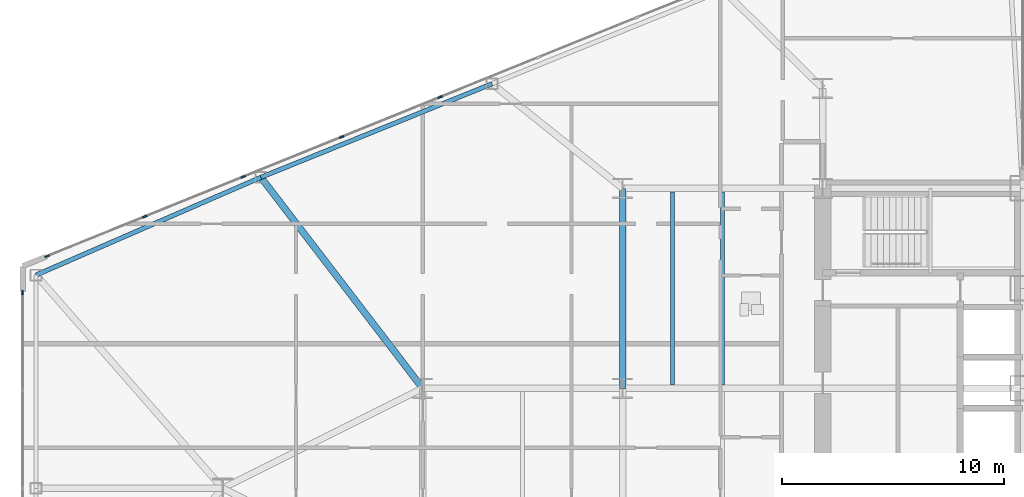
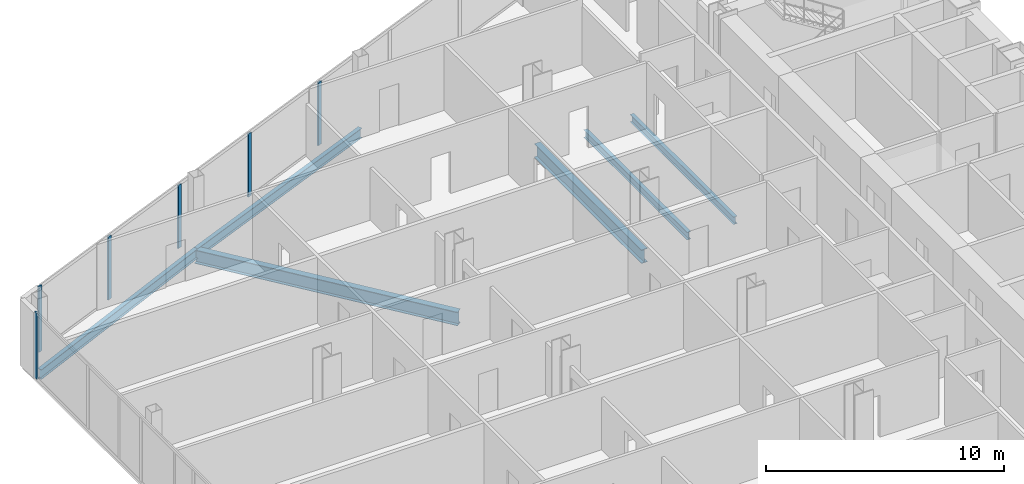
# One storey, part 6 of 25: 6 beams, 6 members, 2 elements without a shape of their own.
"""IFC4 building model written with IfcOpenShell, lengths in metres."""

from ifc_helpers import new_model, si_unit, direction, frame, origin, origin_2d, place, context, subcontext, project, spatial, rectangle, i_section, extrude, source, transform, mapped, material, layer, layer_set, material_profile, profile_set, type_object, type_shapes, element, aggregate, save


model = new_model("IFC4")

# Units and contexts
model_context = context("Model", 3, precision=1e-05, world=origin(), true_north=direction((0.0, 1.0)))
body_context = subcontext(model_context, "Body", "Model", "MODEL_VIEW")
ifc_project = project(units=[si_unit("LENGTHUNIT", "METRE"), si_unit("AREAUNIT", "SQUARE_METRE"), si_unit("VOLUMEUNIT", "CUBIC_METRE"), si_unit("PLANEANGLEUNIT", "RADIAN"), si_unit("MASSUNIT", "GRAM", prefix="KILO")], contexts=[model_context])

# Site, building, storey
site_placement = place(None, origin())
site = spatial("IfcSite", under=ifc_project, at=site_placement, CompositionType="ELEMENT")
building_placement = place(site_placement, origin())
building = spatial("IfcBuilding", under=site, at=building_placement, Name="Seokmaru Belvedere", CompositionType="ELEMENT")
storey_placement = place(building_placement, frame((0.0, 0.0, 22.5)))
storey = spatial("IfcBuildingStorey", under=building, at=storey_placement, Name="L05", CompositionType="ELEMENT", Elevation=22.5)

# Beams
ifc_material_1 = material(Name="Steel SM355 (355 MPa)", Category="steel")
ifc_material_profile_1 = material_profile(ifc_material_1, i_section(OverallWidth=0.300048828125, OverallDepth=0.699951171875, WebThickness=0.012939453125, FlangeThickness=0.02392578125, at=origin_2d()), Name="H-700x300x13x24")
ifc_profile_set_1 = profile_set([ifc_material_profile_1], Name="Steel SM355 (355 MPa)")
beam_type_1 = type_object("IfcBeamType", Name="Primary Floor Girder H-700", PredefinedType="BEAM", material=ifc_profile_set_1)
shared_shape_1 = source(origin(), body_context, "Body", "SweptSolid", [
    extrude(i_section(OverallWidth=0.300048828125, OverallDepth=0.699951171875, WebThickness=0.012939453125, FlangeThickness=0.02392578125, at=origin_2d()), origin(), (0.0, 0.0, 1.0), 9.0),
])
beam_1_placement = place(storey_placement, frame((-45.5, 4.5, -0.570068359375), z_axis=(0.0, 1.0, 0.0), x_axis=(-1.0, 0.0, 0.0)))
element("IfcBeam", 1, at=beam_1_placement, inside=storey, type_object=beam_type_1, Name="L05 W Interior Grid Girder 3", PredefinedType="BEAM", context=body_context, shape_type="MappedRepresentation", body=[
    mapped(shared_shape_1, transform((0.0, 0.0, 0.0), scale=1.0)),
])
ifc_material_profile_2 = material_profile(ifc_material_1, i_section(OverallWidth=0.18505859375, OverallDepth=0.389892578125, WebThickness=0.008056640625, FlangeThickness=0.011962890625, at=origin_2d()), Name="H-390x185x8x12")
ifc_profile_set_2 = profile_set([ifc_material_profile_2], Name="Steel SM355 (355 MPa)")
beam_type_2 = type_object("IfcBeamType", Name="Secondary Floor Joist H-350", PredefinedType="JOIST", material=ifc_profile_set_2)
shared_shape_2 = source(origin(), body_context, "Body", "SweptSolid", [
    extrude(i_section(OverallWidth=0.18505859375, OverallDepth=0.389892578125, WebThickness=0.008056640625, FlangeThickness=0.011962890625, at=origin_2d()), origin(), (0.0, 0.0, 1.0), 8.68994140625),
])
type_shapes(beam_type_2, [shared_shape_2])
for number, where, z_axis, x_axis, name in (
    (2, (-43.25, 4.655029296875, -0.4150390625), (0.0, 1.0, 0.0), (-1.0, 0.0, 0.0), "L05 W Wing Inner Secondary Joist 2"),
    (3, (-41.0, 4.655029296875, -0.4150390625), (0.0, 1.0, 0.0), (-1.0, 0.0, 0.0), "L05 W Secondary Floor Joist 3"),
):
    element("IfcBeam", number, at=place(storey_placement, frame(where, z_axis=z_axis, x_axis=x_axis)), inside=storey, type_object=beam_type_2, Name=name, PredefinedType="JOIST", context=body_context, shape_type="MappedRepresentation", body=[
        mapped(shared_shape_2, transform((0.0, 0.0, 0.0), scale=1.0)),
    ])
ifc_material_profile_3 = material_profile(ifc_material_1, i_section(OverallWidth=0.199951171875, OverallDepth=0.5, WebThickness=0.010009765625, FlangeThickness=0.01611328125, at=origin_2d()), Name="H-500x200x10x16")
ifc_profile_set_3 = profile_set([ifc_material_profile_3], Name="Steel SM355 (355 MPa)")
beam_type_3 = type_object("IfcBeamType", Name="Perimeter Spandrel Beam H-500", PredefinedType="SPANDREL", material=ifc_profile_set_3)
shared_shape_3 = source(origin(), body_context, "Body", "SweptSolid", [
    extrude(i_section(OverallWidth=0.199951171875, OverallDepth=0.5, WebThickness=0.010009765625, FlangeThickness=0.01611328125, at=origin_2d()), origin(), (0.0, 0.0, 1.0), 11.220703125),
])
beam_2_placement = place(storey_placement, frame((-51.378173828125, 18.2041015625, -0.469970703125), z_axis=(-0.926944290816, -0.375198989503, 0.0), x_axis=(0.375198989503, -0.926944290816, 0.0)))
element("IfcBeam", 4, at=beam_2_placement, inside=storey, type_object=beam_type_3, Name="L05 W Faceted Flank Spandrel N-3", PredefinedType="SPANDREL", context=body_context, shape_type="MappedRepresentation", body=[
    mapped(shared_shape_3, transform((0.0, 0.0, 0.0), scale=1.0)),
])
shared_shape_4 = source(origin(), body_context, "Body", "SweptSolid", [
    extrude(i_section(OverallWidth=0.199951171875, OverallDepth=0.5, WebThickness=0.010009765625, FlangeThickness=0.01611328125, at=origin_2d()), origin(), (0.0, 0.0, 1.0), 11.035400390625),
])
type_shapes(beam_type_3, [shared_shape_3, shared_shape_4])
beam_3_placement = place(storey_placement, frame((-61.779052734375, 13.994140625, -0.469970703125), z_axis=(-0.917134058682, -0.398578873507, 0.0), x_axis=(0.398578873507, -0.917134058682, 0.0)))
element("IfcBeam", 5, at=beam_3_placement, inside=storey, type_object=beam_type_3, Name="L05 W Faceted Flank Spandrel N-4", PredefinedType="SPANDREL", context=body_context, shape_type="MappedRepresentation", body=[
    mapped(shared_shape_4, transform((0.0, 0.0, 0.0), scale=1.0)),
])
shared_shape_5 = source(origin(), body_context, "Body", "SweptSolid", [
    extrude(i_section(OverallWidth=0.300048828125, OverallDepth=0.699951171875, WebThickness=0.012939453125, FlangeThickness=0.02392578125, at=origin_2d()), origin(), (0.0, 0.0, 1.0), 11.96337890625),
])
type_shapes(beam_type_1, [shared_shape_1, shared_shape_5])
beam_4_placement = place(storey_placement, frame((-61.779052734375, 13.994140625, -0.570068359375), z_axis=(0.608442682624, -0.793597821294, 0.0), x_axis=(0.793597821294, 0.608442682624, 0.0)))
element("IfcBeam", 6, at=beam_4_placement, inside=storey, type_object=beam_type_1, Name="L05 W Flank Radial Floor Girder N-3", PredefinedType="BEAM", context=body_context, shape_type="MappedRepresentation", body=[
    mapped(shared_shape_5, transform((0.0, 0.0, 0.0), scale=1.0)),
])

# Curtain wall, members
ifc_material_2 = material(Name="Bronze Triple Insulating Glass", Category="glass")
ifc_layer = layer(ifc_material_2, 0.2099609375)
ifc_layer_set = layer_set([ifc_layer], Name="Bronze Triple Insulating Glass")
curtain_wall_type = type_object("IfcCurtainWallType", Name="Low-Rise Faceted Crystal Curtain Wall System CW-2", PredefinedType="NOTDEFINED", material=ifc_layer_set)
curtain_wall_1_placement = place(storey_placement, origin())
curtain_wall_1 = element("IfcCurtainWall", 7, at=curtain_wall_1_placement, inside=storey, type_object=curtain_wall_type, Name="L05 Curtain Wall WF3", PredefinedType="NOTDEFINED")
ifc_material_3 = material(Name="Anodised Bronze Aluminium", Category="aluminium")
ifc_material_profile_4 = material_profile(ifc_material_3, rectangle(XDim=0.074951171875, YDim=0.2099609375, at=origin_2d()), Name="CW-M-75x210")
ifc_profile_set_4 = profile_set([ifc_material_profile_4], Name="Anodised Bronze Aluminium")
member_type = type_object("IfcMemberType", Name="Bronze Unitised Mullion 75x210", PredefinedType="MULLION", material=ifc_profile_set_4)
shared_shape_6 = source(origin(), body_context, "Body", "SweptSolid", [
    extrude(rectangle(XDim=0.074951171875, YDim=0.2099609375, at=origin_2d()), origin(), (0.0, 0.0, 1.0), 3.239990234375),
])
member_1_placement = place(storey_placement, frame((-53.71484375, 17.603515625, 0.070068359375), z_axis=(0.0, 0.0, 1.0), x_axis=(0.375192321888, -0.926946989637, 0.0)))
member_1 = element("IfcMember", 8, at=member_1_placement, type_object=member_type, Name="CW:L05:WF3 Mullion 6", PredefinedType="MULLION", context=body_context, shape_type="MappedRepresentation", body=[
    mapped(shared_shape_6, transform((0.0, 0.0, 0.0), scale=1.0)),
])
member_2_placement = place(storey_placement, frame((-58.144775390625, 15.810546875, 0.070068359375), z_axis=(0.0, 0.0, 1.0), x_axis=(0.375192321888, -0.926946989637, 0.0)))
member_2 = element("IfcMember", 9, at=member_2_placement, type_object=member_type, Name="CW:L05:WF3 Mullion 7", PredefinedType="MULLION", context=body_context, shape_type="MappedRepresentation", body=[
    mapped(shared_shape_6, transform((0.0, 0.0, 0.0), scale=1.0)),
])
member_3_placement = place(storey_placement, frame((-62.574462890625, 14.017578125, 0.070068359375), z_axis=(0.0, 0.0, 1.0), x_axis=(0.375192321888, -0.926946989637, 0.0)))
member_3 = element("IfcMember", 10, at=member_3_placement, type_object=member_type, Name="CW:L05:WF3 Mullion 8", PredefinedType="MULLION", context=body_context, shape_type="MappedRepresentation", body=[
    mapped(shared_shape_6, transform((0.0, 0.0, 0.0), scale=1.0)),
])
member_4_placement = place(storey_placement, frame((-67.004150390625, 12.224609375, 0.070068359375), z_axis=(0.0, 0.0, 1.0), x_axis=(0.375192321888, -0.926946989637, 0.0)))
member_4 = element("IfcMember", 11, at=member_4_placement, type_object=member_type, Name="CW:L05:WF3 Mullion 9", PredefinedType="MULLION", context=body_context, shape_type="MappedRepresentation", body=[
    mapped(shared_shape_6, transform((0.0, 0.0, 0.0), scale=1.0)),
])
shared_shape_7 = source(origin(), body_context, "Body", "SweptSolid", [
    extrude(rectangle(XDim=0.074951171875, YDim=0.2099609375, at=origin_2d()), origin(), (0.0, 0.0, 1.0), 3.3798828125),
])
type_shapes(member_type, [shared_shape_6, shared_shape_7])
member_5_placement = place(storey_placement, frame((-71.399169921875, 10.445556640625, 0.0), z_axis=(0.0, 0.0, 1.0), x_axis=(0.375192321888, -0.926946989637, 0.0)))
member_5 = element("IfcMember", 12, at=member_5_placement, type_object=member_type, Name="CW:L05:WF3 Mullion 10", PredefinedType="MULLION", context=body_context, shape_type="MappedRepresentation", body=[
    mapped(shared_shape_7, transform((0.0, 0.0, 0.0), scale=1.0)),
])
aggregate(curtain_wall_1, [member_1, member_2, member_3, member_4, member_5])

# Curtain wall, member
curtain_wall_2_placement = place(storey_placement, origin())
curtain_wall_2 = element("IfcCurtainWall", 13, at=curtain_wall_2_placement, inside=storey, type_object=curtain_wall_type, Name="L05 Curtain Wall WF4", PredefinedType="NOTDEFINED")
member_6_placement = place(storey_placement, frame((-72.5, 8.8125, 0.0), z_axis=(0.0, 0.0, 1.0), x_axis=(1.0, 0.0, 0.0)))
member_6 = element("IfcMember", 14, at=member_6_placement, type_object=member_type, Name="CW:L05:WF4 Mullion 1", PredefinedType="MULLION", context=body_context, shape_type="MappedRepresentation", body=[
    mapped(shared_shape_7, transform((0.0, 0.0, 0.0), scale=1.0)),
])
aggregate(curtain_wall_2, [member_6])

save(model, "model.ifc")
